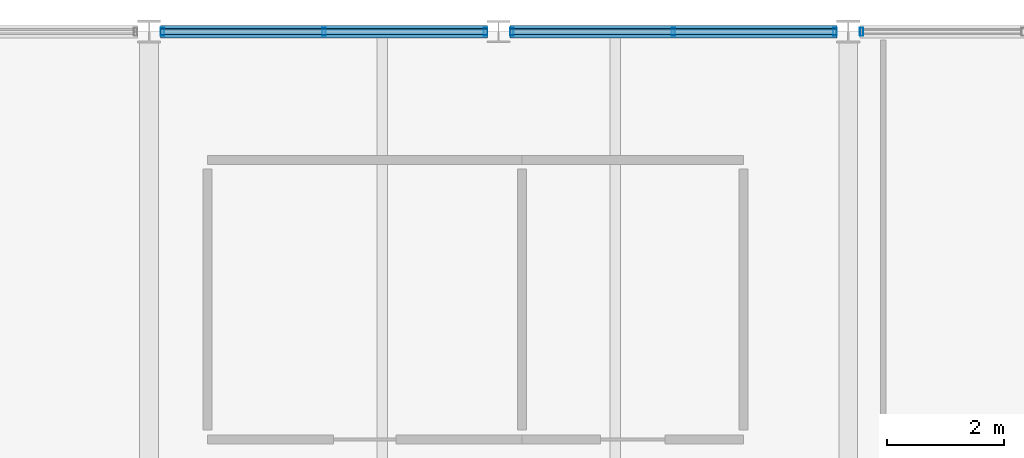
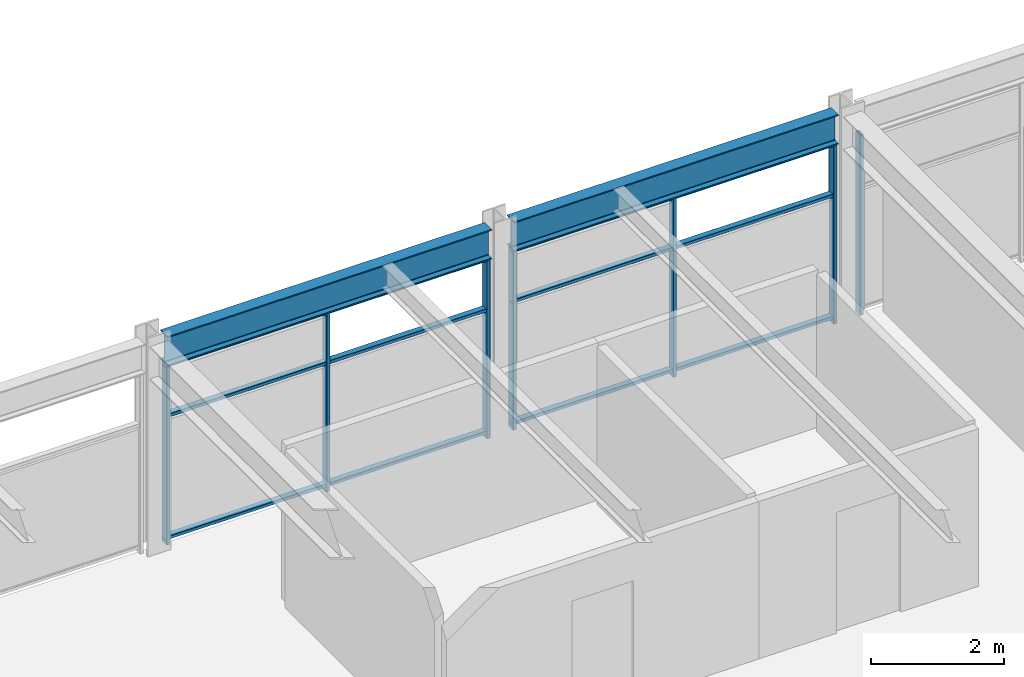
# One storey, part 25 of 52: 13 members, 2 beams, 3 elements without a shape of their own.
"""IFC4 building model written with IfcOpenShell, lengths in metres."""

from ifc_helpers import new_model, si_unit, direction, frame, origin, origin_2d, place, context, subcontext, project, spatial, hollow_rectangle, i_section, extrude, material, material_profile, profile_set, type_object, element, aggregate, save


model = new_model("IFC4")

# Units and contexts
model_context = context("Model", 3, precision=1e-05, world=origin(), true_north=direction((0.0, 1.0)))
body_context = subcontext(model_context, "Body", "Model", "MODEL_VIEW")
ifc_project = project(units=[si_unit("LENGTHUNIT", "METRE"), si_unit("AREAUNIT", "SQUARE_METRE"), si_unit("VOLUMEUNIT", "CUBIC_METRE"), si_unit("PLANEANGLEUNIT", "RADIAN"), si_unit("MASSUNIT", "GRAM", prefix="KILO")], contexts=[model_context])

# Site, building, storey
site_placement = place(None, origin())
site = spatial("IfcSite", under=ifc_project, at=site_placement, CompositionType="ELEMENT")
building_placement = place(site_placement, origin())
building = spatial("IfcBuilding", under=site, at=building_placement, Name="Girod Span Mobility Hub", CompositionType="ELEMENT")
storey_placement = place(building_placement, frame((0.0, 0.0, 45.60009765625)))
storey = spatial("IfcBuildingStorey", under=building, at=storey_placement, Name="L11", CompositionType="ELEMENT", Elevation=45.60009765625)

# Beams
ifc_material_1 = material(Name="Steel A992 Grade 50", Category="steel")
ifc_material_profile_1 = material_profile(ifc_material_1, i_section(OverallWidth=0.2119140625, OverallDepth=0.5439453125, WebThickness=0.01318359375, FlangeThickness=0.021240234375, FilletRadius=0.014892578125, at=origin_2d()), Name="W21X83")
ifc_profile_set_1 = profile_set([ifc_material_profile_1], Name="Steel A992 Grade 50")
beam_type = type_object("IfcBeamType", Name="BM-STL-W21X83", PredefinedType="SPANDREL", material=ifc_profile_set_1)
for number, where, z_axis, x_axis, name in (
    (1, (72.196533203125, 69.0, 3.56787109375), (1.0, 0.0, 0.0), (0.0, 1.0, 0.0), "Spandrel Beam 7-8/F-W L11"),
    (2, (78.194091796875, 69.0, 3.56787109375), (1.0, 0.0, 0.0), (0.0, 1.0, 0.0), "Spandrel Beam 7-8/F-E L11"),
):
    element("IfcBeam", number, at=place(storey_placement, frame(where, z_axis=z_axis, x_axis=x_axis)), inside=storey, type_object=beam_type, Name=name, PredefinedType="SPANDREL", context=body_context, shape_type="SweptSolid", body=[
        extrude(i_section(OverallWidth=0.2119140625, OverallDepth=0.5439453125, WebThickness=0.01318359375, FlangeThickness=0.021240234375, FilletRadius=0.014892578125, at=origin_2d()), origin(), (0.0, 0.0, 1.0), 5.609375),
    ])

# Curtain wall, members
ifc_material_2 = material(Name="Thermally Broken Anodised Aluminium", Category="aluminium")
curtain_wall_type = type_object("IfcCurtainWallType", Name="CW-561X330", PredefinedType="USERDEFINED", material=ifc_material_2)
curtain_wall_1_placement = place(storey_placement, origin())
curtain_wall_1 = element("IfcCurtainWall", 3, at=curtain_wall_1_placement, inside=storey, type_object=curtain_wall_type, Name="Unitised Curtain Wall CW-L11-N07W L11", ObjectType="UNITISED CURTAIN WALL", PredefinedType="USERDEFINED")
ifc_material_3 = material(Name="Thermally Broken Anodised Aluminium", Category="aluminium")
ifc_material_profile_2 = material_profile(ifc_material_3, hollow_rectangle(XDim=0.139892578125, YDim=0.06005859375, WallThickness=0.00341796875, InnerFilletRadius=0.00341796875, OuterFilletRadius=0.007080078125, at=origin_2d()), Name="CW-ML-60X140")
ifc_profile_set_2 = profile_set([ifc_material_profile_2], Name="Thermally Broken Anodised Aluminium")
member_type_1 = type_object("IfcMemberType", Name="CWM-ML-4", PredefinedType="MULLION", material=ifc_profile_set_2)
member_1_placement = place(storey_placement, frame((72.2294921875, 69.0, 0.0), z_axis=(0.0, 0.0, 1.0), x_axis=(0.0, 1.0, 0.0)))
member_1 = element("IfcMember", 4, at=member_1_placement, type_object=member_type_1, Name="Curtain Wall Mullion CW-L11-N07W-M0", PredefinedType="MULLION", context=body_context, shape_type="SweptSolid", body=[
    extrude(hollow_rectangle(XDim=0.139892578125, YDim=0.06005859375, WallThickness=0.00341796875, InnerFilletRadius=0.00341796875, OuterFilletRadius=0.007080078125, at=origin_2d()), origin(), (0.0, 0.0, 1.0), 3.2958984375),
])
member_2_placement = place(storey_placement, frame((75.001220703125, 69.0, 0.0), z_axis=(0.0, 0.0, 1.0), x_axis=(0.0, 1.0, 0.0)))
member_2 = element("IfcMember", 5, at=member_2_placement, type_object=member_type_1, Name="Curtain Wall Mullion CW-L11-N07W-M1", PredefinedType="MULLION", context=body_context, shape_type="SweptSolid", body=[
    extrude(hollow_rectangle(XDim=0.139892578125, YDim=0.06005859375, WallThickness=0.00341796875, InnerFilletRadius=0.00341796875, OuterFilletRadius=0.007080078125, at=origin_2d()), origin(), (0.0, 0.0, 1.0), 3.2958984375),
])
member_3_placement = place(storey_placement, frame((77.77294921875, 69.0, 0.0), z_axis=(0.0, 0.0, 1.0), x_axis=(0.0, 1.0, 0.0)))
member_3 = element("IfcMember", 6, at=member_3_placement, type_object=member_type_1, Name="Curtain Wall Mullion CW-L11-N07W-M2", PredefinedType="MULLION", context=body_context, shape_type="SweptSolid", body=[
    extrude(hollow_rectangle(XDim=0.139892578125, YDim=0.06005859375, WallThickness=0.00341796875, InnerFilletRadius=0.00341796875, OuterFilletRadius=0.007080078125, at=origin_2d()), origin(), (0.0, 0.0, 1.0), 3.2958984375),
])

curtain_wall_2_placement = place(storey_placement, origin())
curtain_wall_2 = element("IfcCurtainWall", 7, at=curtain_wall_2_placement, inside=storey, type_object=curtain_wall_type, Name="Unitised Curtain Wall CW-L11-N07E L11", ObjectType="UNITISED CURTAIN WALL", PredefinedType="USERDEFINED")
member_4_placement = place(storey_placement, frame((78.22705078125, 69.0, 0.0), z_axis=(0.0, 0.0, 1.0), x_axis=(0.0, 1.0, 0.0)))
member_4 = element("IfcMember", 8, at=member_4_placement, type_object=member_type_1, Name="Curtain Wall Mullion CW-L11-N07E-M0", PredefinedType="MULLION", context=body_context, shape_type="SweptSolid", body=[
    extrude(hollow_rectangle(XDim=0.139892578125, YDim=0.06005859375, WallThickness=0.00341796875, InnerFilletRadius=0.00341796875, OuterFilletRadius=0.007080078125, at=origin_2d()), origin(), (0.0, 0.0, 1.0), 3.2958984375),
])
member_5_placement = place(storey_placement, frame((80.998779296875, 69.0, 0.0), z_axis=(0.0, 0.0, 1.0), x_axis=(0.0, 1.0, 0.0)))
member_5 = element("IfcMember", 9, at=member_5_placement, type_object=member_type_1, Name="Curtain Wall Mullion CW-L11-N07E-M1", PredefinedType="MULLION", context=body_context, shape_type="SweptSolid", body=[
    extrude(hollow_rectangle(XDim=0.139892578125, YDim=0.06005859375, WallThickness=0.00341796875, InnerFilletRadius=0.00341796875, OuterFilletRadius=0.007080078125, at=origin_2d()), origin(), (0.0, 0.0, 1.0), 3.2958984375),
])
member_6_placement = place(storey_placement, frame((83.7705078125, 69.0, 0.0), z_axis=(0.0, 0.0, 1.0), x_axis=(0.0, 1.0, 0.0)))
member_6 = element("IfcMember", 10, at=member_6_placement, type_object=member_type_1, Name="Curtain Wall Mullion CW-L11-N07E-M2", PredefinedType="MULLION", context=body_context, shape_type="SweptSolid", body=[
    extrude(hollow_rectangle(XDim=0.139892578125, YDim=0.06005859375, WallThickness=0.00341796875, InnerFilletRadius=0.00341796875, OuterFilletRadius=0.007080078125, at=origin_2d()), origin(), (0.0, 0.0, 1.0), 3.2958984375),
])

# Curtain wall, member
curtain_wall_3_placement = place(storey_placement, origin())
curtain_wall_3 = element("IfcCurtainWall", 11, at=curtain_wall_3_placement, inside=storey, type_object=curtain_wall_type, Name="Unitised Curtain Wall CW-L11-N08W L11", ObjectType="UNITISED CURTAIN WALL", PredefinedType="USERDEFINED")
member_7_placement = place(storey_placement, frame((84.2294921875, 69.0, 0.0), z_axis=(0.0, 0.0, 1.0), x_axis=(0.0, 1.0, 0.0)))
member_7 = element("IfcMember", 12, at=member_7_placement, type_object=member_type_1, Name="Curtain Wall Mullion CW-L11-N08W-M0", PredefinedType="MULLION", context=body_context, shape_type="SweptSolid", body=[
    extrude(hollow_rectangle(XDim=0.139892578125, YDim=0.06005859375, WallThickness=0.00341796875, InnerFilletRadius=0.00341796875, OuterFilletRadius=0.007080078125, at=origin_2d()), origin(), (0.0, 0.0, 1.0), 3.2958984375),
])
aggregate(curtain_wall_3, [member_7])

# Member
ifc_material_4 = material(Name="Thermally Broken Anodised Aluminium", Category="aluminium")
ifc_material_profile_3 = material_profile(ifc_material_4, hollow_rectangle(XDim=0.10498046875, YDim=0.06005859375, WallThickness=0.00341796875, InnerFilletRadius=0.00341796875, OuterFilletRadius=0.007080078125, at=origin_2d()), Name="CW-TR-60X105")
ifc_profile_set_3 = profile_set([ifc_material_profile_3], Name="Thermally Broken Anodised Aluminium")
member_type_2 = type_object("IfcMemberType", Name="CWM-TR-4", PredefinedType="USERDEFINED", material=ifc_profile_set_3)
member_8_placement = place(storey_placement, frame((72.197509765625, 69.0, 0.10986328125), z_axis=(1.0, 0.0, 0.0), x_axis=(0.0, 1.0, 0.0)))
member_8 = element("IfcMember", 13, at=member_8_placement, type_object=member_type_2, Name="Curtain Wall Transom CW-L11-N07W-T1", ObjectType="TRANSOM", PredefinedType="USERDEFINED", context=body_context, shape_type="SweptSolid", body=[
    extrude(hollow_rectangle(XDim=0.10498046875, YDim=0.06005859375, WallThickness=0.00341796875, InnerFilletRadius=0.00341796875, OuterFilletRadius=0.007080078125, at=origin_2d()), origin(), (0.0, 0.0, 1.0), 5.607421875),
])

member_9_placement = place(storey_placement, frame((72.197509765625, 69.0, 2.343017578125), z_axis=(1.0, 0.0, 0.0), x_axis=(0.0, 1.0, 0.0)))
member_9 = element("IfcMember", 14, at=member_9_placement, type_object=member_type_2, Name="Curtain Wall Transom CW-L11-N07W-T2", ObjectType="TRANSOM", PredefinedType="USERDEFINED", context=body_context, shape_type="SweptSolid", body=[
    extrude(hollow_rectangle(XDim=0.10498046875, YDim=0.06005859375, WallThickness=0.00341796875, InnerFilletRadius=0.00341796875, OuterFilletRadius=0.007080078125, at=origin_2d()), origin(), (0.0, 0.0, 1.0), 5.607421875),
])

member_10_placement = place(storey_placement, frame((72.197509765625, 69.0, 3.265869140625), z_axis=(1.0, 0.0, 0.0), x_axis=(0.0, 1.0, 0.0)))
member_10 = element("IfcMember", 15, at=member_10_placement, type_object=member_type_2, Name="Curtain Wall Transom CW-L11-N07W-T3", ObjectType="TRANSOM", PredefinedType="USERDEFINED", context=body_context, shape_type="SweptSolid", body=[
    extrude(hollow_rectangle(XDim=0.10498046875, YDim=0.06005859375, WallThickness=0.00341796875, InnerFilletRadius=0.00341796875, OuterFilletRadius=0.007080078125, at=origin_2d()), origin(), (0.0, 0.0, 1.0), 5.607421875),
])

aggregate(curtain_wall_1, [member_1, member_2, member_3, member_8, member_9, member_10])

member_11_placement = place(storey_placement, frame((78.195068359375, 69.0, 0.10986328125), z_axis=(1.0, 0.0, 0.0), x_axis=(0.0, 1.0, 0.0)))
member_11 = element("IfcMember", 16, at=member_11_placement, type_object=member_type_2, Name="Curtain Wall Transom CW-L11-N07E-T1", ObjectType="TRANSOM", PredefinedType="USERDEFINED", context=body_context, shape_type="SweptSolid", body=[
    extrude(hollow_rectangle(XDim=0.10498046875, YDim=0.06005859375, WallThickness=0.00341796875, InnerFilletRadius=0.00341796875, OuterFilletRadius=0.007080078125, at=origin_2d()), origin(), (0.0, 0.0, 1.0), 5.607421875),
])

member_12_placement = place(storey_placement, frame((78.195068359375, 69.0, 2.343017578125), z_axis=(1.0, 0.0, 0.0), x_axis=(0.0, 1.0, 0.0)))
member_12 = element("IfcMember", 17, at=member_12_placement, type_object=member_type_2, Name="Curtain Wall Transom CW-L11-N07E-T2", ObjectType="TRANSOM", PredefinedType="USERDEFINED", context=body_context, shape_type="SweptSolid", body=[
    extrude(hollow_rectangle(XDim=0.10498046875, YDim=0.06005859375, WallThickness=0.00341796875, InnerFilletRadius=0.00341796875, OuterFilletRadius=0.007080078125, at=origin_2d()), origin(), (0.0, 0.0, 1.0), 5.607421875),
])

member_13_placement = place(storey_placement, frame((78.195068359375, 69.0, 3.265869140625), z_axis=(1.0, 0.0, 0.0), x_axis=(0.0, 1.0, 0.0)))
member_13 = element("IfcMember", 18, at=member_13_placement, type_object=member_type_2, Name="Curtain Wall Transom CW-L11-N07E-T3", ObjectType="TRANSOM", PredefinedType="USERDEFINED", context=body_context, shape_type="SweptSolid", body=[
    extrude(hollow_rectangle(XDim=0.10498046875, YDim=0.06005859375, WallThickness=0.00341796875, InnerFilletRadius=0.00341796875, OuterFilletRadius=0.007080078125, at=origin_2d()), origin(), (0.0, 0.0, 1.0), 5.607421875),
])

aggregate(curtain_wall_2, [member_4, member_5, member_6, member_11, member_12, member_13])

save(model, "model.ifc")
